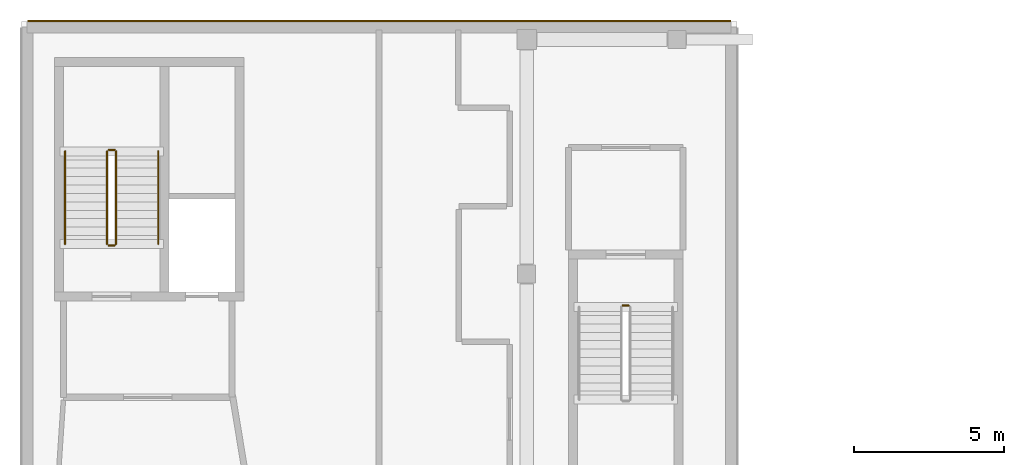
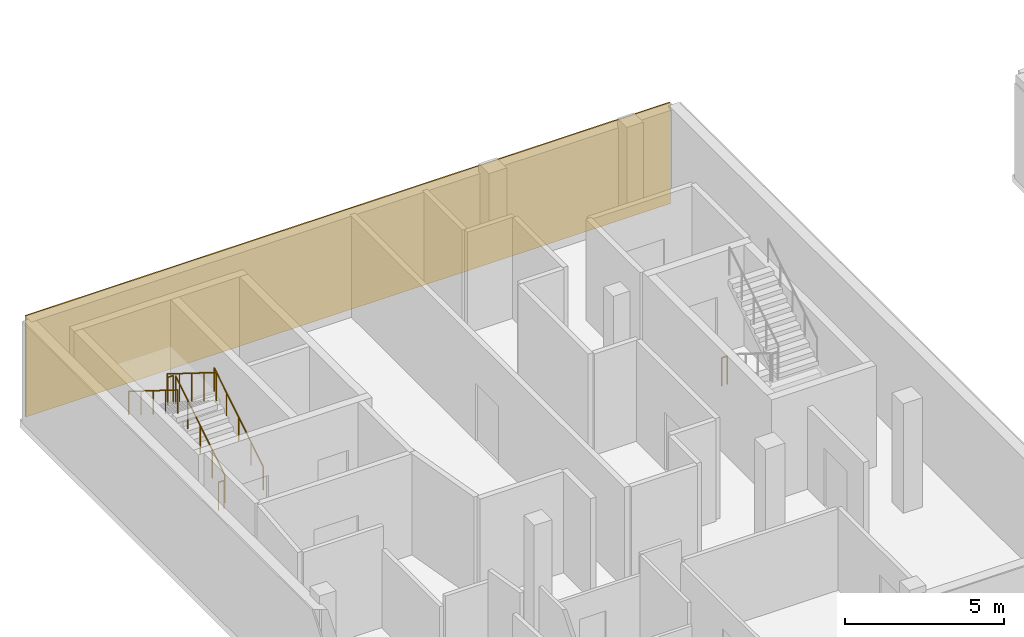
# One storey, part 16 of 18: 7 railings, 1 covering.
"""IFC4 building model written with IfcOpenShell, lengths in metres."""

import ifcopenshell
import ifcopenshell.guid

model = None  # the IFC model being written
_history = None  # IfcOwnerHistory: only IFC2X3 demands one
_inside = {}  # id of a spatial element -> (the spatial element, [elements in it])
_under = {}  # id of a project, library or spatial element -> (it, [spatial elements below it])
_declared = {}  # id of a project -> (the project, [libraries it declares])
_typed = {}  # id of a type object -> (the type object, [elements of that type])
_made_of = {}  # id of a material, layer set ... -> (it, [elements and type objects made of it])


def new_model(schema):
    """Start an empty IFC model of exactly this schema.

    Asked for "IFC4X3", IfcOpenShell would pick the latest addendum, in which some entities
    have other attributes; the version numbers below select the first issue.
    IFC2X3 requires an IfcOwnerHistory on every rooted entity: one is made here for all.
    """
    global model, _history
    if schema == "IFC4X3":
        model = ifcopenshell.file(schema_version=(4, 3, 0, 0))
    else:
        model = ifcopenshell.file(schema=schema)
    _inside.clear()
    _under.clear()
    _declared.clear()
    _typed.clear()
    _made_of.clear()
    _history = None
    if model.schema == "IFC2X3":
        org = make("IfcOrganization", Name="unknown")
        user = make(
            "IfcPersonAndOrganization",
            ThePerson=make("IfcPerson", FamilyName="unknown"),
            TheOrganization=org,
        )
        app = make(
            "IfcApplication",
            ApplicationDeveloper=org,
            Version="unknown",
            ApplicationFullName="unknown",
            ApplicationIdentifier="unknown",
        )
        _history = make(
            "IfcOwnerHistory",
            OwningUser=user,
            OwningApplication=app,
            ChangeAction="ADDED",
            CreationDate=0,
        )
    return model


def make(cls, **values):
    """One entity of the class cls with the attributes given. An attribute that is None is left unset."""
    return model.create_entity(
        cls, **{name: value for name, value in values.items() if value is not None}
    )


def rooted(cls, **values):
    """An entity with a GlobalId (a new one), such as an element, a storey or a relation."""
    return make(cls, GlobalId=ifcopenshell.guid.new(), OwnerHistory=_history, **values)


def si_unit(unit_type, name, prefix=None):
    """IfcSIUnit, for example si_unit("LENGTHUNIT", "METRE", prefix="MILLI")."""
    return make("IfcSIUnit", UnitType=unit_type, Prefix=prefix, Name=name)


def assignment(units):
    """IfcUnitAssignment: the units of a project."""
    return None if units is None else make("IfcUnitAssignment", Units=units)


def point(xyz):
    """IfcCartesianPoint."""
    return None if xyz is None else make("IfcCartesianPoint", Coordinates=xyz)


def direction(xyz):
    """IfcDirection."""
    return None if xyz is None else make("IfcDirection", DirectionRatios=xyz)


def frame(location, z_axis=None, x_axis=None):
    """IfcAxis2Placement3D, a coordinate frame: its origin and axes. An axis left out is left unset."""
    return make(
        "IfcAxis2Placement3D",
        Location=point(location),
        Axis=direction(z_axis),
        RefDirection=direction(x_axis),
    )


def frame_2d(location, x_axis=None):
    """IfcAxis2Placement2D, a coordinate frame in the plane: its origin and x axis."""
    return make(
        "IfcAxis2Placement2D", Location=point(location), RefDirection=direction(x_axis)
    )


def origin():
    """The frame at (0, 0, 0) with its axes left unset."""
    return frame((0.0, 0.0, 0.0))


def origin_2d():
    """The frame at (0, 0) in the plane with its x axis left unset."""
    return frame_2d((0.0, 0.0))


def place(relative_to, where):
    """IfcLocalPlacement: puts the frame where relative to a parent placement (None: the world)."""
    return make(
        "IfcLocalPlacement", PlacementRelTo=relative_to, RelativePlacement=where
    )


def context(
    kind, dimensions, precision=None, world=None, true_north=None, identifier=None
):
    """IfcGeometricRepresentationContext, for example the 3D "Model" context."""
    return make(
        "IfcGeometricRepresentationContext",
        ContextIdentifier=identifier,
        ContextType=kind,
        CoordinateSpaceDimension=dimensions,
        Precision=precision,
        WorldCoordinateSystem=world,
        TrueNorth=true_north,
    )


def subcontext(parent, identifier, kind, view, scale=None):
    """IfcGeometricRepresentationSubContext, for example "Body" below "Model"."""
    return make(
        "IfcGeometricRepresentationSubContext",
        ContextIdentifier=identifier,
        ContextType=kind,
        ParentContext=parent,
        TargetScale=scale,
        TargetView=view,
    )


def project(units=None, contexts=None):
    """IfcProject with its units and contexts."""
    return rooted(
        "IfcProject",
        Name="project",
        RepresentationContexts=contexts,
        UnitsInContext=assignment(units),
    )


def spatial(cls, under=None, at=None, **own):
    """A site, building, storey or space (cls), placed at a placement, below another one or the project."""
    s = rooted(cls, ObjectPlacement=at, **own)
    if under is not None:
        _under.setdefault(under.id(), (under, []))[1].append(s)
    return s


def profile(cls, at=None, kind="AREA", **sizes):
    """A parametric profile (cls). Its sizes go by their IFC names, for example OverallWidth=200.0."""
    return make(cls, ProfileType=kind, Position=at, **sizes)


def rectangle(**sizes):
    """IfcRectangleProfileDef."""
    return profile("IfcRectangleProfileDef", **sizes)


def circle(**sizes):
    """IfcCircleProfileDef."""
    return profile("IfcCircleProfileDef", **sizes)


def extrude(swept, where, along, depth):
    """IfcExtrudedAreaSolid: the profile swept, set in the frame where, extruded along a direction by depth."""
    return make(
        "IfcExtrudedAreaSolid",
        SweptArea=swept,
        Position=where,
        ExtrudedDirection=direction(along),
        Depth=depth,
    )


def shape(context_of_items, identifier, shape_type, items):
    """IfcShapeRepresentation: the items that make up one representation, for example the "Body"."""
    return make(
        "IfcShapeRepresentation",
        ContextOfItems=context_of_items,
        RepresentationIdentifier=identifier,
        RepresentationType=shape_type,
        Items=items,
    )


def material(Name=None, Category=None):
    """IfcMaterial."""
    return make("IfcMaterial", Name=Name, Category=Category)


def layer(
    of_material, thickness, ventilated=None, Name=None, Category=None, Priority=None
):
    """IfcMaterialLayer: one layer of a wall or slab, of a material (None: an air gap)."""
    return make(
        "IfcMaterialLayer",
        Material=of_material,
        LayerThickness=thickness,
        IsVentilated=ventilated,
        Name=Name,
        Category=Category,
        Priority=Priority,
    )


def layer_set(layers, Name=None):
    """IfcMaterialLayerSet."""
    return make("IfcMaterialLayerSet", MaterialLayers=layers, LayerSetName=Name)


def made_of(thing, what):
    """Note that an element or type object is made of a material, layer set ...; save() writes the relation."""
    if what is not None:
        _made_of.setdefault(what.id(), (what, []))[1].append(thing)
    return thing


def type_object(cls, material=None, **own):
    """A type object (cls), such as IfcWallType, which elements share."""
    return made_of(rooted(cls, **own), material)


def element(
    cls,
    number,
    at=None,
    inside=None,
    cuts=None,
    type_object=None,
    material=None,
    context=None,
    identifier="Body",
    shape_type=None,
    held_by="IfcProductDefinitionShape",
    body=None,
    shapes=None,
    **own,
):
    """One element of the class cls, such as IfcWall. Its Tag is "e" and its number.

    at: its placement. inside: the storey or other place that contains it. cuts: it is an
    opening in that element (IfcRelVoidsElement). A single representation is given by context,
    identifier, shape_type and body (its items); several are given by shapes. held_by: the class
    of the entity that holds the representations. save() writes the other relations.
    """
    e = rooted(cls, Tag="e%d" % number, ObjectPlacement=at, **own)
    if body is not None:
        shapes = [shape(context, identifier, shape_type, body)]
    if shapes is not None:
        e.Representation = make(held_by, Representations=shapes)
    if inside is not None:
        _inside.setdefault(inside.id(), (inside, []))[1].append(e)
    if cuts is not None:
        rooted(
            "IfcRelVoidsElement", RelatingBuildingElement=cuts, RelatedOpeningElement=e
        )
    if type_object is not None:
        _typed.setdefault(type_object.id(), (type_object, []))[1].append(e)
    return made_of(e, material)


def aggregate(whole, parts):
    """IfcRelAggregates: a whole, such as a stair, and the parts it consists of."""
    return rooted("IfcRelAggregates", RelatingObject=whole, RelatedObjects=parts)


def save(model, path):
    """Write the relations noted so far, then the file.

    IfcRelAggregates (storeys below a building ...), IfcRelContainedInSpatialStructure (elements
    in a storey), IfcRelDefinesByType, IfcRelAssociatesMaterial and IfcRelDeclares: one each for
    every whole, place, type object, material and project.
    """
    for whole, parts in _under.values():
        aggregate(whole, parts)
    for where, things in _inside.values():
        rooted(
            "IfcRelContainedInSpatialStructure",
            RelatedElements=things,
            RelatingStructure=where,
        )
    for kind, things in _typed.values():
        rooted("IfcRelDefinesByType", RelatedObjects=things, RelatingType=kind)
    for what, things in _made_of.values():
        rooted("IfcRelAssociatesMaterial", RelatedObjects=things, RelatingMaterial=what)
    for by, libraries in _declared.values():
        rooted("IfcRelDeclares", RelatingContext=by, RelatedDefinitions=libraries)
    model.write(path)


model = new_model("IFC4")

# Units and contexts
model_context = context("Model", 3, precision=1e-05, world=origin(), true_north=direction((0.0, 1.0)))
body_context = subcontext(model_context, "Body", "Model", "MODEL_VIEW")
ifc_project = project(units=[si_unit("LENGTHUNIT", "METRE"), si_unit("AREAUNIT", "SQUARE_METRE"), si_unit("VOLUMEUNIT", "CUBIC_METRE"), si_unit("PLANEANGLEUNIT", "RADIAN"), si_unit("MASSUNIT", "GRAM", prefix="KILO")], contexts=[model_context])

# Site, building, storey
site_placement = place(None, origin())
site = spatial("IfcSite", under=ifc_project, at=site_placement, CompositionType="ELEMENT")
building_placement = place(site_placement, origin())
building = spatial("IfcBuilding", under=site, at=building_placement, Name="Mzevani Central Library", CompositionType="ELEMENT")
storey_placement = place(building_placement, frame((0.0, 0.0, 18.300048828125)))
storey = spatial("IfcBuildingStorey", under=building, at=storey_placement, Name="L04", CompositionType="ELEMENT", Elevation=18.300048828125)

# Railings
ifc_material_1 = material(Name="Brushed stainless steel rail", Category="steel")
railing_type_1 = type_object("IfcRailingType", Name="Interior Gallery and Stair Guard 1100", PredefinedType="BALUSTRADE", material=ifc_material_1)
railing_1_placement = place(storey_placement, frame((15.550048828125, 110.60009765625, 0.175048828125)))
element("IfcRailing", 1, at=railing_1_placement, inside=storey, type_object=railing_type_1, Name="L04 ST-03 stair guard 1", PredefinedType="BALUSTRADE", context=body_context, shape_type="SweptSolid", body=[
    extrude(circle(Radius=0.02392578125, at=origin_2d()), frame((0.0, 0.0, 1.076171875), z_axis=(0.0, 0.848009633417, 0.529980812513), x_axis=(-1.0, 0.0, 0.0)), (0.0, 0.0, 1.0), 3.6318359375),
    extrude(circle(Radius=0.02099609375, at=origin_2d()), origin(), (0.0, 0.0, 1.0), 1.052001953125),
    extrude(circle(Radius=0.02099609375, at=origin_2d()), frame((0.0, 0.77001953125, 0.481201171875)), (0.0, 0.0, 1.0), 1.052001953125),
    extrude(circle(Radius=0.02099609375, at=origin_2d()), frame((0.0, 1.5400390625, 0.96240234375)), (0.0, 0.0, 1.0), 1.052001953125),
    extrude(circle(Radius=0.02099609375, at=origin_2d()), frame((0.0, 2.309814453125, 1.443603515625)), (0.0, 0.0, 1.0), 1.052001953125),
    extrude(circle(Radius=0.02099609375, at=origin_2d()), frame((0.0, 3.079833984375, 1.9248046875)), (0.0, 0.0, 1.0), 1.052001953125),
])
railing_2_placement = place(storey_placement, frame((15.5, 113.72998046875, 2.099853515625)))
element("IfcRailing", 2, at=railing_2_placement, inside=storey, type_object=railing_type_1, Name="L04 ST-03 stair guard 2", PredefinedType="BALUSTRADE", context=body_context, shape_type="SweptSolid", body=[
    extrude(circle(Radius=0.02392578125, at=origin_2d()), frame((0.0, 0.0, 1.076171875), z_axis=(-1.0, 0.0, 0.0), x_axis=(0.0, -1.0, 0.0)), (0.0, 0.0, 1.0), 0.199951171875),
    extrude(circle(Radius=0.02099609375, at=origin_2d()), origin(), (0.0, 0.0, 1.0), 1.052001953125),
    extrude(circle(Radius=0.02099609375, at=origin_2d()), frame((-0.199951171875, 0.0, 0.0)), (0.0, 0.0, 1.0), 1.052001953125),
])
railing_3_placement = place(storey_placement, frame((15.25, 113.679931640625, 2.27490234375)))
element("IfcRailing", 3, at=railing_3_placement, inside=storey, type_object=railing_type_1, Name="L04 ST-03 stair guard 3", PredefinedType="BALUSTRADE", context=body_context, shape_type="SweptSolid", body=[
    extrude(circle(Radius=0.02392578125, at=origin_2d()), frame((0.0, 0.0, 1.076171875), z_axis=(0.0, -0.847979421464, 0.530029150871), x_axis=(1.0, 0.0, 0.0)), (0.0, 0.0, 1.0), 3.632080078125),
    extrude(circle(Radius=0.02099609375, at=origin_2d()), origin(), (0.0, 0.0, 1.0), 1.052001953125),
    extrude(circle(Radius=0.02099609375, at=origin_2d()), frame((0.0, -0.77001953125, 0.481201171875)), (0.0, 0.0, 1.0), 1.052001953125),
    extrude(circle(Radius=0.02099609375, at=origin_2d()), frame((0.0, -1.5400390625, 0.96240234375)), (0.0, 0.0, 1.0), 1.052001953125),
    extrude(circle(Radius=0.02099609375, at=origin_2d()), frame((0.0, -2.309814453125, 1.44384765625)), (0.0, 0.0, 1.0), 1.052001953125),
    extrude(circle(Radius=0.02099609375, at=origin_2d()), frame((0.0, -3.079833984375, 1.925048828125)), (0.0, 0.0, 1.0), 1.052001953125),
])
railing_4_placement = place(storey_placement, frame((15.5, 110.550048828125, 0.0)))
element("IfcRailing", 4, at=railing_4_placement, inside=storey, type_object=railing_type_1, Name="L04 ST-03 stair guard 4", PredefinedType="BALUSTRADE", context=body_context, shape_type="SweptSolid", body=[
    extrude(circle(Radius=0.02392578125, at=origin_2d()), frame((0.0, 0.0, 1.076171875), z_axis=(-1.0, 0.0, 0.0), x_axis=(0.0, -1.0, 0.0)), (0.0, 0.0, 1.0), 0.199951171875),
    extrude(circle(Radius=0.02099609375, at=origin_2d()), origin(), (0.0, 0.0, 1.0), 1.052001953125),
    extrude(circle(Radius=0.02099609375, at=origin_2d()), frame((-0.199951171875, 0.0, 0.0)), (0.0, 0.0, 1.0), 1.052001953125),
])
railing_5_placement = place(storey_placement, frame((32.39990234375, 108.550048828125, 0.0)))
element("IfcRailing", 5, at=railing_5_placement, inside=storey, type_object=railing_type_1, Name="L04 ST-04 stair guard 4", PredefinedType="BALUSTRADE", context=body_context, shape_type="SweptSolid", body=[
    extrude(circle(Radius=0.02392578125, at=origin_2d()), frame((0.0, 0.0, 1.076171875), z_axis=(1.0, 0.0, 0.0), x_axis=(0.0, 1.0, 0.0)), (0.0, 0.0, 1.0), 0.2001953125),
    extrude(circle(Radius=0.02099609375, at=origin_2d()), origin(), (0.0, 0.0, 1.0), 1.052001953125),
    extrude(circle(Radius=0.02099609375, at=origin_2d()), frame((0.2001953125, 0.0, 0.0)), (0.0, 0.0, 1.0), 1.052001953125),
])

# Covering
ifc_material_2 = material(Name="Limestone ashlar cladding", Category="masonry")
ifc_layer = layer(ifc_material_2, 0.050048828125, Name="Limestone Ashlar Spandrel Cladding")
ifc_layer_set = layer_set([ifc_layer], Name="Limestone ashlar cladding")
covering_type = type_object("IfcCoveringType", Name="Limestone Ashlar Spandrel Cladding", PredefinedType="CLADDING", material=ifc_layer_set)
covering_placement = place(storey_placement, frame((24.300048828125, 118.02392578125, 0.0), z_axis=(0.0, 0.0, 1.0), x_axis=(1.0, 0.0, 0.0)))
element("IfcCovering", 6, at=covering_placement, inside=storey, type_object=covering_type, Name="L04 Warm-White Facade Cladding (EW4-V2-L04-0034)", PredefinedType="CLADDING", context=body_context, shape_type="SweptSolid", body=[
    extrude(rectangle(XDim=23.3798828125, YDim=0.050048828125, at=origin_2d()), origin(), (0.0, 0.0, 1.0), 3.8798828125),
])

# Railings
railing_type_2 = type_object("IfcRailingType", Name="Stair Wall Handrail 920", PredefinedType="HANDRAIL", material=ifc_material_1)
railing_6_placement = place(storey_placement, frame((16.949951171875, 110.60009765625, 0.175048828125)))
element("IfcRailing", 7, at=railing_6_placement, inside=storey, type_object=railing_type_2, Name="L04 ST-03 stair handrail 1", PredefinedType="HANDRAIL", context=body_context, shape_type="SweptSolid", body=[
    extrude(circle(Radius=0.02392578125, at=origin_2d()), frame((0.0, 0.0, 0.89599609375), z_axis=(0.0, 0.848009633417, 0.529980812513), x_axis=(-1.0, 0.0, 0.0)), (0.0, 0.0, 1.0), 3.6318359375),
    extrude(circle(Radius=0.02099609375, at=origin_2d()), origin(), (0.0, 0.0, 1.0), 0.871826171875),
    extrude(circle(Radius=0.02099609375, at=origin_2d()), frame((0.0, 0.77001953125, 0.481201171875)), (0.0, 0.0, 1.0), 0.871826171875),
    extrude(circle(Radius=0.02099609375, at=origin_2d()), frame((0.0, 1.5400390625, 0.96240234375)), (0.0, 0.0, 1.0), 0.871826171875),
    extrude(circle(Radius=0.02099609375, at=origin_2d()), frame((0.0, 2.309814453125, 1.443603515625)), (0.0, 0.0, 1.0), 0.871826171875),
    extrude(circle(Radius=0.02099609375, at=origin_2d()), frame((0.0, 3.079833984375, 1.9248046875)), (0.0, 0.0, 1.0), 0.871826171875),
])
railing_7_placement = place(storey_placement, frame((13.85009765625, 113.679931640625, 2.27490234375)))
element("IfcRailing", 8, at=railing_7_placement, inside=storey, type_object=railing_type_2, Name="L04 ST-03 stair handrail 2", PredefinedType="HANDRAIL", context=body_context, shape_type="SweptSolid", body=[
    extrude(circle(Radius=0.02392578125, at=origin_2d()), frame((0.0, 0.0, 0.89599609375), z_axis=(0.0, -0.847979421464, 0.530029150871), x_axis=(1.0, 0.0, 0.0)), (0.0, 0.0, 1.0), 3.632080078125),
    extrude(circle(Radius=0.02099609375, at=origin_2d()), origin(), (0.0, 0.0, 1.0), 0.871826171875),
    extrude(circle(Radius=0.02099609375, at=origin_2d()), frame((0.0, -0.77001953125, 0.481201171875)), (0.0, 0.0, 1.0), 0.871826171875),
    extrude(circle(Radius=0.02099609375, at=origin_2d()), frame((0.0, -1.5400390625, 0.96240234375)), (0.0, 0.0, 1.0), 0.871826171875),
    extrude(circle(Radius=0.02099609375, at=origin_2d()), frame((0.0, -2.309814453125, 1.44384765625)), (0.0, 0.0, 1.0), 0.871826171875),
    extrude(circle(Radius=0.02099609375, at=origin_2d()), frame((0.0, -3.079833984375, 1.925048828125)), (0.0, 0.0, 1.0), 0.871826171875),
])

save(model, "model.ifc")
